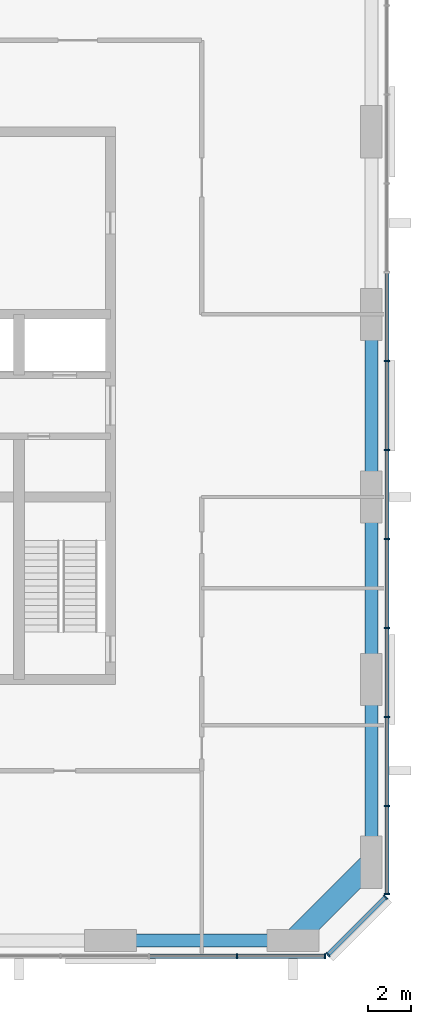
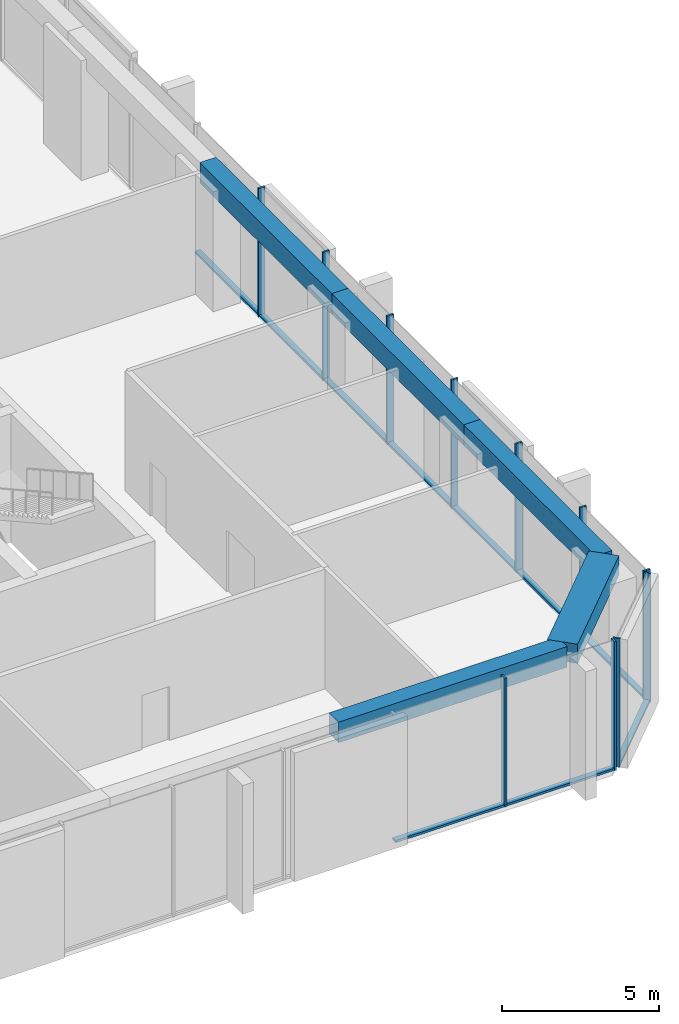
# One storey, part 3 of 9: 21 members, 5 beams, 3 elements without a shape of their own.
"""IFC4 building model written with IfcOpenShell, lengths in metres."""

from ifc_helpers import new_model, si_unit, direction, frame, origin, origin_2d, place, context, subcontext, project, spatial, rectangle, extrude, material, material_profile, profile_set, type_object, element, aggregate, save


model = new_model("IFC4")

# Units and contexts
model_context = context("Model", 3, precision=1e-05, world=origin(), true_north=direction((0.0, 1.0)))
body_context = subcontext(model_context, "Body", "Model", "MODEL_VIEW")
ifc_project = project(units=[si_unit("LENGTHUNIT", "METRE"), si_unit("AREAUNIT", "SQUARE_METRE"), si_unit("VOLUMEUNIT", "CUBIC_METRE"), si_unit("PLANEANGLEUNIT", "RADIAN"), si_unit("MASSUNIT", "GRAM", prefix="KILO")], contexts=[model_context])

# Site, building, storey
site_placement = place(None, origin())
site = spatial("IfcSite", under=ifc_project, at=site_placement, CompositionType="ELEMENT")
building_placement = place(site_placement, origin())
building = spatial("IfcBuilding", under=site, at=building_placement, Name="Dunama Terrace Hotel", CompositionType="ELEMENT")
storey_placement = place(building_placement, frame((0.0, 0.0, 284.10009765625)))
storey = spatial("IfcBuildingStorey", under=building, at=storey_placement, Name="L73", CompositionType="ELEMENT", Elevation=284.10009765625)

# Curtain wall, members
ifc_material_1 = material(Name="Aluminium curtain wall system", Category="aluminium")
curtain_wall_type = type_object("IfcCurtainWallType", Name="Unitised fritted glass wall CW-D", PredefinedType="NOTDEFINED", material=ifc_material_1)
curtain_wall_1_placement = place(storey_placement, origin())
curtain_wall_1 = element("IfcCurtainWall", 1, at=curtain_wall_1_placement, inside=storey, type_object=curtain_wall_type, Name="Unitised fritted glass wall CW-D L73", PredefinedType="NOTDEFINED")
ifc_material_2 = material(Name="Aluminium mullion", Category="aluminium")
ifc_material_profile_1 = material_profile(ifc_material_2, rectangle(XDim=0.070068359375, YDim=0.239990234375, at=origin_2d()), Name="CWD MULLION 70X240")
ifc_profile_set_1 = profile_set([ifc_material_profile_1], Name="Aluminium mullion")
member_type_1 = type_object("IfcMemberType", Name="CWD mullion 70x240", PredefinedType="MULLION", material=ifc_profile_set_1)
member_1_placement = place(storey_placement, frame((47.8330078125, 4.080078125, 0.0), z_axis=(0.0, 0.0, 1.0), x_axis=(1.0, 0.0, 0.0)))
member_1 = element("IfcMember", 2, at=member_1_placement, type_object=member_type_1, Name="CWD mullion", PredefinedType="MULLION", context=body_context, shape_type="SweptSolid", body=[
    extrude(rectangle(XDim=0.070068359375, YDim=0.239990234375, at=origin_2d()), origin(), (0.0, 0.0, 1.0), 5.0),
])
member_2_placement = place(storey_placement, frame((51.864990234375, 4.080078125, 0.0), z_axis=(0.0, 0.0, 1.0), x_axis=(1.0, 0.0, 0.0)))
member_2 = element("IfcMember", 3, at=member_2_placement, type_object=member_type_1, Name="CWD mullion", PredefinedType="MULLION", context=body_context, shape_type="SweptSolid", body=[
    extrude(rectangle(XDim=0.070068359375, YDim=0.239990234375, at=origin_2d()), origin(), (0.0, 0.0, 1.0), 5.0),
])

curtain_wall_2_placement = place(storey_placement, origin())
curtain_wall_2 = element("IfcCurtainWall", 4, at=curtain_wall_2_placement, inside=storey, type_object=curtain_wall_type, Name="Unitised fritted glass wall CW-D L73", PredefinedType="NOTDEFINED")
member_3_placement = place(storey_placement, frame((52.010009765625, 4.139892578125, 0.0), z_axis=(0.0, 0.0, 1.0), x_axis=(0.707106781187, 0.707106781187, 0.0)))
member_3 = element("IfcMember", 5, at=member_3_placement, type_object=member_type_1, Name="CWD mullion", PredefinedType="MULLION", context=body_context, shape_type="SweptSolid", body=[
    extrude(rectangle(XDim=0.070068359375, YDim=0.239990234375, at=origin_2d()), origin(), (0.0, 0.0, 1.0), 5.0),
])
member_4_placement = place(storey_placement, frame((54.659912109375, 6.7900390625, 0.0), z_axis=(0.0, 0.0, 1.0), x_axis=(0.707106781187, 0.707106781187, 0.0)))
member_4 = element("IfcMember", 6, at=member_4_placement, type_object=member_type_1, Name="CWD mullion", PredefinedType="MULLION", context=body_context, shape_type="SweptSolid", body=[
    extrude(rectangle(XDim=0.070068359375, YDim=0.239990234375, at=origin_2d()), origin(), (0.0, 0.0, 1.0), 5.0),
])

curtain_wall_3_placement = place(storey_placement, origin())
curtain_wall_3 = element("IfcCurtainWall", 7, at=curtain_wall_3_placement, inside=storey, type_object=curtain_wall_type, Name="Unitised fritted glass wall CW-D L73", PredefinedType="NOTDEFINED")
member_5_placement = place(storey_placement, frame((54.719970703125, 6.93505859375, 0.0), z_axis=(0.0, 0.0, 1.0), x_axis=(0.0, 1.0, 0.0)))
member_5 = element("IfcMember", 8, at=member_5_placement, type_object=member_type_1, Name="CWD mullion", PredefinedType="MULLION", context=body_context, shape_type="SweptSolid", body=[
    extrude(rectangle(XDim=0.070068359375, YDim=0.239990234375, at=origin_2d()), origin(), (0.0, 0.0, 1.0), 5.0),
])
member_6_placement = place(storey_placement, frame((54.719970703125, 10.990966796875, 0.0), z_axis=(0.0, 0.0, 1.0), x_axis=(0.0, 1.0, 0.0)))
member_6 = element("IfcMember", 9, at=member_6_placement, type_object=member_type_1, Name="CWD mullion", PredefinedType="MULLION", context=body_context, shape_type="SweptSolid", body=[
    extrude(rectangle(XDim=0.070068359375, YDim=0.239990234375, at=origin_2d()), origin(), (0.0, 0.0, 1.0), 5.0),
])
member_7_placement = place(storey_placement, frame((54.719970703125, 15.08203125, 0.0), z_axis=(0.0, 0.0, 1.0), x_axis=(0.0, 1.0, 0.0)))
member_7 = element("IfcMember", 10, at=member_7_placement, type_object=member_type_1, Name="CWD mullion", PredefinedType="MULLION", context=body_context, shape_type="SweptSolid", body=[
    extrude(rectangle(XDim=0.070068359375, YDim=0.239990234375, at=origin_2d()), origin(), (0.0, 0.0, 1.0), 5.0),
])
member_8_placement = place(storey_placement, frame((54.719970703125, 19.173095703125, 0.0), z_axis=(0.0, 0.0, 1.0), x_axis=(0.0, 1.0, 0.0)))
member_8 = element("IfcMember", 11, at=member_8_placement, type_object=member_type_1, Name="CWD mullion", PredefinedType="MULLION", context=body_context, shape_type="SweptSolid", body=[
    extrude(rectangle(XDim=0.070068359375, YDim=0.239990234375, at=origin_2d()), origin(), (0.0, 0.0, 1.0), 5.0),
])
member_9_placement = place(storey_placement, frame((54.719970703125, 23.263916015625, 0.0), z_axis=(0.0, 0.0, 1.0), x_axis=(0.0, 1.0, 0.0)))
member_9 = element("IfcMember", 12, at=member_9_placement, type_object=member_type_1, Name="CWD mullion", PredefinedType="MULLION", context=body_context, shape_type="SweptSolid", body=[
    extrude(rectangle(XDim=0.070068359375, YDim=0.239990234375, at=origin_2d()), origin(), (0.0, 0.0, 1.0), 5.0),
])
member_10_placement = place(storey_placement, frame((54.719970703125, 27.35498046875, 0.0), z_axis=(0.0, 0.0, 1.0), x_axis=(0.0, 1.0, 0.0)))
member_10 = element("IfcMember", 13, at=member_10_placement, type_object=member_type_1, Name="CWD mullion", PredefinedType="MULLION", context=body_context, shape_type="SweptSolid", body=[
    extrude(rectangle(XDim=0.070068359375, YDim=0.239990234375, at=origin_2d()), origin(), (0.0, 0.0, 1.0), 5.0),
])
member_11_placement = place(storey_placement, frame((54.719970703125, 31.445068359375, 0.0), z_axis=(0.0, 0.0, 1.0), x_axis=(0.0, 1.0, 0.0)))
member_11 = element("IfcMember", 14, at=member_11_placement, type_object=member_type_1, Name="CWD mullion", PredefinedType="MULLION", context=body_context, shape_type="SweptSolid", body=[
    extrude(rectangle(XDim=0.070068359375, YDim=0.239990234375, at=origin_2d()), origin(), (0.0, 0.0, 1.0), 5.0),
])

# Member
ifc_material_3 = material(Name="Aluminium transom", Category="aluminium")
ifc_material_profile_2 = material_profile(ifc_material_3, rectangle(XDim=0.199951171875, YDim=0.0849609375, at=origin_2d()), Name="CWD TRANSOM 200X85")
ifc_profile_set_2 = profile_set([ifc_material_profile_2], Name="Aluminium transom")
member_type_2 = type_object("IfcMemberType", Name="CWD transom 200x85", PredefinedType="USERDEFINED", material=ifc_profile_set_2)
member_12_placement = place(storey_placement, frame((43.802001953125, 4.080078125, 0.04248046875), z_axis=(1.0, 0.0, 0.0), x_axis=(0.0, 1.0, 0.0)))
member_12 = element("IfcMember", 15, at=member_12_placement, type_object=member_type_2, Name="CWD transom", ObjectType="TRANSOM", PredefinedType="USERDEFINED", context=body_context, shape_type="SweptSolid", body=[
    extrude(rectangle(XDim=0.199951171875, YDim=0.0849609375, at=origin_2d()), origin(), (0.0, 0.0, 1.0), 3.99609375),
])

member_13_placement = place(storey_placement, frame((47.867919921875, 4.080078125, 0.04248046875), z_axis=(1.0, 0.0, 0.0), x_axis=(0.0, 1.0, 0.0)))
member_13 = element("IfcMember", 16, at=member_13_placement, type_object=member_type_2, Name="CWD transom", ObjectType="TRANSOM", PredefinedType="USERDEFINED", context=body_context, shape_type="SweptSolid", body=[
    extrude(rectangle(XDim=0.199951171875, YDim=0.0849609375, at=origin_2d()), origin(), (0.0, 0.0, 1.0), 3.962158203125),
])

aggregate(curtain_wall_1, [member_1, member_2, member_12, member_13])

member_14_placement = place(storey_placement, frame((52.033935546875, 4.1650390625, 0.04248046875), z_axis=(0.707106781187, 0.707106781187, 0.0), x_axis=(-0.707106781187, 0.707106781187, 0.0)))
member_14 = element("IfcMember", 17, at=member_14_placement, type_object=member_type_2, Name="CWD transom", ObjectType="TRANSOM", PredefinedType="USERDEFINED", context=body_context, shape_type="SweptSolid", body=[
    extrude(rectangle(XDim=0.199951171875, YDim=0.0849609375, at=origin_2d()), origin(), (0.0, 0.0, 1.0), 3.678466796875),
])

aggregate(curtain_wall_2, [member_3, member_4, member_14])

member_15_placement = place(storey_placement, frame((54.719970703125, 6.969970703125, 0.04248046875), z_axis=(0.0, 1.0, 0.0), x_axis=(-1.0, 0.0, 0.0)))
member_15 = element("IfcMember", 18, at=member_15_placement, type_object=member_type_2, Name="CWD transom", ObjectType="TRANSOM", PredefinedType="USERDEFINED", context=body_context, shape_type="SweptSolid", body=[
    extrude(rectangle(XDim=0.199951171875, YDim=0.0849609375, at=origin_2d()), origin(), (0.0, 0.0, 1.0), 3.986083984375),
])

member_16_placement = place(storey_placement, frame((54.719970703125, 11.02587890625, 0.04248046875), z_axis=(0.0, 1.0, 0.0), x_axis=(-1.0, 0.0, 0.0)))
member_16 = element("IfcMember", 19, at=member_16_placement, type_object=member_type_2, Name="CWD transom", ObjectType="TRANSOM", PredefinedType="USERDEFINED", context=body_context, shape_type="SweptSolid", body=[
    extrude(rectangle(XDim=0.199951171875, YDim=0.0849609375, at=origin_2d()), origin(), (0.0, 0.0, 1.0), 4.021240234375),
])

member_17_placement = place(storey_placement, frame((54.719970703125, 15.116943359375, 0.04248046875), z_axis=(0.0, 1.0, 0.0), x_axis=(-1.0, 0.0, 0.0)))
member_17 = element("IfcMember", 20, at=member_17_placement, type_object=member_type_2, Name="CWD transom", ObjectType="TRANSOM", PredefinedType="USERDEFINED", context=body_context, shape_type="SweptSolid", body=[
    extrude(rectangle(XDim=0.199951171875, YDim=0.0849609375, at=origin_2d()), origin(), (0.0, 0.0, 1.0), 4.02099609375),
])

member_18_placement = place(storey_placement, frame((54.719970703125, 19.2080078125, 0.04248046875), z_axis=(0.0, 1.0, 0.0), x_axis=(-1.0, 0.0, 0.0)))
member_18 = element("IfcMember", 21, at=member_18_placement, type_object=member_type_2, Name="CWD transom", ObjectType="TRANSOM", PredefinedType="USERDEFINED", context=body_context, shape_type="SweptSolid", body=[
    extrude(rectangle(XDim=0.199951171875, YDim=0.0849609375, at=origin_2d()), origin(), (0.0, 0.0, 1.0), 4.02099609375),
])

member_19_placement = place(storey_placement, frame((54.719970703125, 23.299072265625, 0.04248046875), z_axis=(0.0, 1.0, 0.0), x_axis=(-1.0, 0.0, 0.0)))
member_19 = element("IfcMember", 22, at=member_19_placement, type_object=member_type_2, Name="CWD transom", ObjectType="TRANSOM", PredefinedType="USERDEFINED", context=body_context, shape_type="SweptSolid", body=[
    extrude(rectangle(XDim=0.199951171875, YDim=0.0849609375, at=origin_2d()), origin(), (0.0, 0.0, 1.0), 4.02099609375),
])

member_20_placement = place(storey_placement, frame((54.719970703125, 27.389892578125, 0.04248046875), z_axis=(0.0, 1.0, 0.0), x_axis=(-1.0, 0.0, 0.0)))
member_20 = element("IfcMember", 23, at=member_20_placement, type_object=member_type_2, Name="CWD transom", ObjectType="TRANSOM", PredefinedType="USERDEFINED", context=body_context, shape_type="SweptSolid", body=[
    extrude(rectangle(XDim=0.199951171875, YDim=0.0849609375, at=origin_2d()), origin(), (0.0, 0.0, 1.0), 4.02001953125),
])

member_21_placement = place(storey_placement, frame((54.719970703125, 31.47998046875, 0.04248046875), z_axis=(0.0, 1.0, 0.0), x_axis=(-1.0, 0.0, 0.0)))
member_21 = element("IfcMember", 24, at=member_21_placement, type_object=member_type_2, Name="CWD transom", ObjectType="TRANSOM", PredefinedType="USERDEFINED", context=body_context, shape_type="SweptSolid", body=[
    extrude(rectangle(XDim=0.199951171875, YDim=0.0849609375, at=origin_2d()), origin(), (0.0, 0.0, 1.0), 4.02099609375),
])

aggregate(curtain_wall_3, [member_5, member_6, member_7, member_8, member_9, member_10, member_11, member_15, member_16, member_17, member_18, member_19, member_20, member_21])

# Beams
ifc_material_4 = material(Name="Concrete C50/60", Category="concrete")
ifc_material_profile_3 = material_profile(ifc_material_4, rectangle(XDim=1.0, YDim=0.75, at=origin_2d()), Name="RC 1000x750")
ifc_profile_set_3 = profile_set([ifc_material_profile_3], Name="Concrete C50/60")
beam_type_1 = type_object("IfcBeamType", Name="Edge beam RC 1000x750", PredefinedType="SPANDREL", material=ifc_profile_set_3)
beam_1_placement = place(storey_placement, frame((50.39990234375, 4.800048828125, 4.625), z_axis=(0.707130757816, 0.707082803744, 0.0), x_axis=(-0.707082803744, 0.707130757816, 0.0)))
element("IfcBeam", 25, at=beam_1_placement, inside=storey, type_object=beam_type_1, Name="Corner edge beam under L74", PredefinedType="SPANDREL", context=body_context, shape_type="SweptSolid", body=[
    extrude(rectangle(XDim=1.0, YDim=0.75, at=origin_2d()), origin(), (0.0, 0.0, 1.0), 5.091064453125),
])
ifc_material_5 = material(Name="Concrete C40/50", Category="concrete")
ifc_material_profile_4 = material_profile(ifc_material_5, rectangle(XDim=0.60009765625, YDim=0.800048828125, at=origin_2d()), Name="RC 600x800")
ifc_profile_set_4 = profile_set([ifc_material_profile_4], Name="Concrete C40/50")
beam_type_2 = type_object("IfcBeamType", Name="Edge beam RC 600x800", PredefinedType="SPANDREL", material=ifc_profile_set_4)
beam_2_placement = place(storey_placement, frame((54.0, 8.39990234375, 4.599853515625), z_axis=(0.0, 1.0, 0.0), x_axis=(-1.0, 0.0, 0.0)))
element("IfcBeam", 26, at=beam_2_placement, inside=storey, type_object=beam_type_2, Name="Edge beam under L74", PredefinedType="SPANDREL", context=body_context, shape_type="SweptSolid", body=[
    extrude(rectangle(XDim=0.60009765625, YDim=0.800048828125, at=origin_2d()), origin(), (0.0, 0.0, 1.0), 8.400146484375),
])
beam_3_placement = place(storey_placement, frame((54.0, 16.800048828125, 4.599853515625), z_axis=(0.0, 1.0, 0.0), x_axis=(-1.0, 0.0, 0.0)))
element("IfcBeam", 27, at=beam_3_placement, inside=storey, type_object=beam_type_2, Name="Edge beam under L74", PredefinedType="SPANDREL", context=body_context, shape_type="SweptSolid", body=[
    extrude(rectangle(XDim=0.60009765625, YDim=0.800048828125, at=origin_2d()), origin(), (0.0, 0.0, 1.0), 8.39990234375),
])
beam_4_placement = place(storey_placement, frame((54.0, 25.199951171875, 4.599853515625), z_axis=(0.0, 1.0, 0.0), x_axis=(-1.0, 0.0, 0.0)))
element("IfcBeam", 28, at=beam_4_placement, inside=storey, type_object=beam_type_2, Name="Edge beam under L74", PredefinedType="SPANDREL", context=body_context, shape_type="SweptSolid", body=[
    extrude(rectangle(XDim=0.60009765625, YDim=0.800048828125, at=origin_2d()), origin(), (0.0, 0.0, 1.0), 8.400146484375),
])
beam_5_placement = place(storey_placement, frame((42.0, 4.800048828125, 4.599853515625), z_axis=(1.0, 0.0, 0.0), x_axis=(0.0, 1.0, 0.0)))
element("IfcBeam", 29, at=beam_5_placement, inside=storey, type_object=beam_type_2, Name="Edge beam under L74", PredefinedType="SPANDREL", context=body_context, shape_type="SweptSolid", body=[
    extrude(rectangle(XDim=0.60009765625, YDim=0.800048828125, at=origin_2d()), origin(), (0.0, 0.0, 1.0), 8.39990234375),
])

save(model, "model.ifc")
